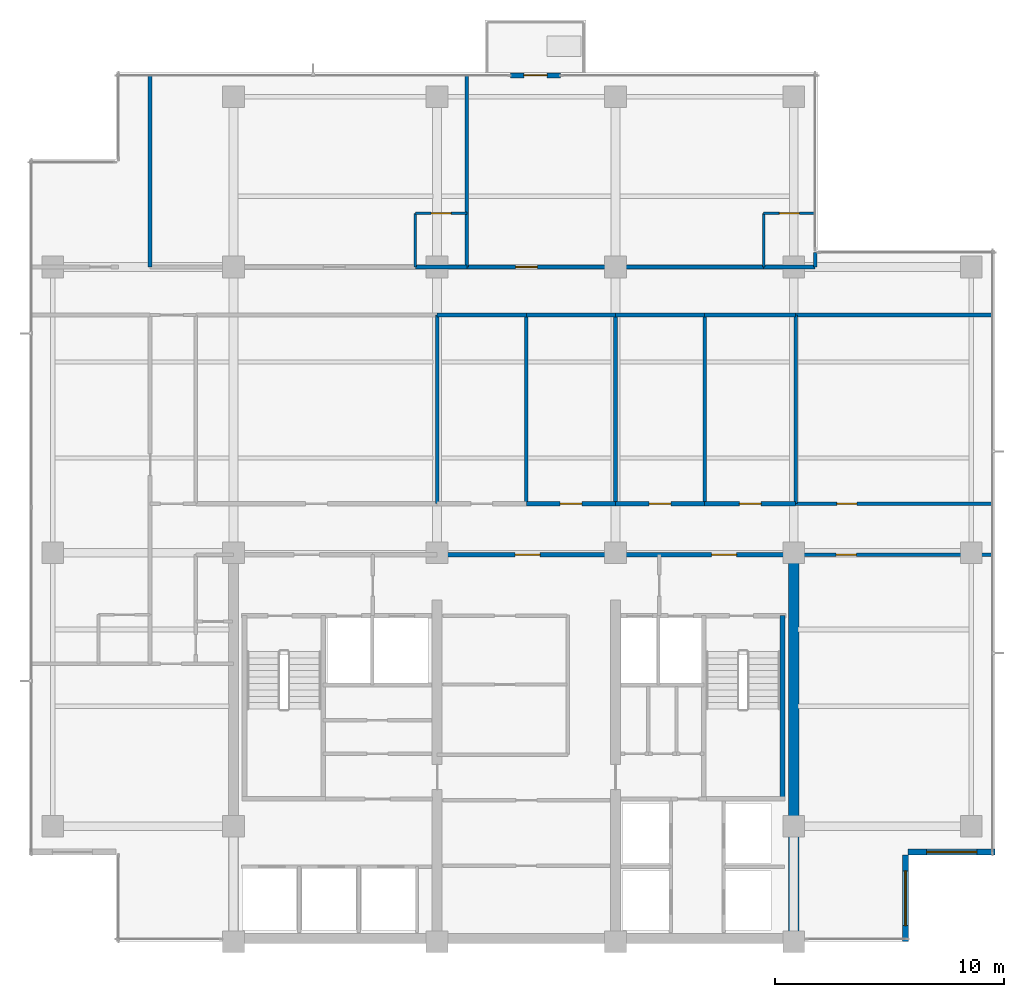
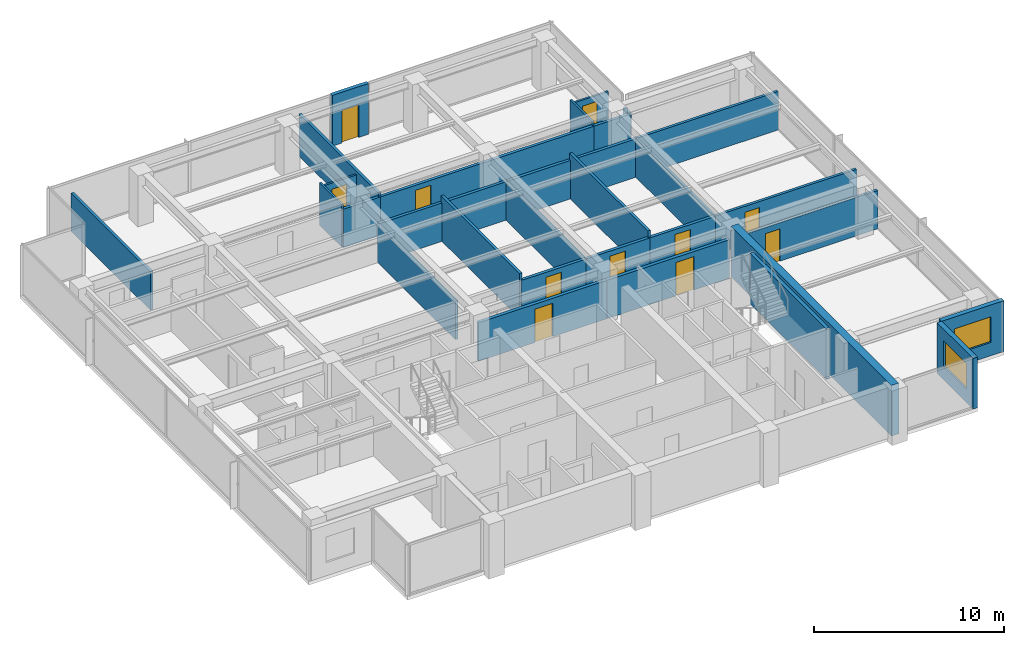
# One storey, part 9 of 15: 32 walls, 11 doors, 2 windows, 13 openings.
"""IFC4 building model written with IfcOpenShell, lengths in metres."""

from ifc_helpers import new_model, si_unit, direction, frame, frame_2d, origin, place, context, subcontext, project, spatial, rectangle, extrude, material, layer, layer_set, type_object, element, fill, save


model = new_model("IFC4")

# Units and contexts
model_context = context("Model", 3, precision=1e-05, world=origin(), true_north=direction((0.0, 1.0)))
body_context = subcontext(model_context, "Body", "Model", "MODEL_VIEW")
ifc_project = project(units=[si_unit("LENGTHUNIT", "METRE"), si_unit("AREAUNIT", "SQUARE_METRE"), si_unit("VOLUMEUNIT", "CUBIC_METRE"), si_unit("PLANEANGLEUNIT", "RADIAN"), si_unit("MASSUNIT", "GRAM", prefix="KILO")], contexts=[model_context])

# Site, building, storey
site_placement = place(None, origin())
site = spatial("IfcSite", under=ifc_project, at=site_placement, CompositionType="ELEMENT")
building_placement = place(site_placement, origin())
building = spatial("IfcBuilding", under=site, at=building_placement, Name="Qalmaran Belvedere Hotel", CompositionType="ELEMENT")
storey_placement = place(building_placement, frame((0.0, 0.0, 221.39990234375)))
storey = spatial("IfcBuildingStorey", under=building, at=storey_placement, Name="L56", CompositionType="ELEMENT", Elevation=221.39990234375)

# Wall, opening, door
ifc_material_1 = material(Name="Anodised Bronze Cladding")
ifc_layer_1 = layer(ifc_material_1, 0.22509765625, Name="Anodised Bronze Cladding")
ifc_layer_set_1 = layer_set([ifc_layer_1], Name="Anodised Bronze Cladding")
wall_type_1 = type_object("IfcWallType", Name="WL-BAL-PORT-225", PredefinedType="SOLIDWALL", material=ifc_layer_set_1)
wall_1_placement = place(storey_placement, frame((32.39990234375, 41.3798828125, 0.0), z_axis=(0.0, 0.0, 1.0), x_axis=(1.0, 0.0, 0.0)))
wall_1 = element("IfcWall", 1, at=wall_1_placement, inside=storey, type_object=wall_type_1, Name="L56 Tree Balcony Door Portal", PredefinedType="SOLIDWALL", context=body_context, shape_type="SweptSolid", body=[
    extrude(rectangle(XDim=2.2001953125, YDim=0.22509765625, at=frame_2d((1.10009765625, 0.0))), origin(), (0.0, 0.0, 1.0), 3.260009765625),
])
opening_1_placement = place(wall_1_placement, frame((0.590087890625, 0.0, 0.0)))
opening_1 = element("IfcOpeningElement", 2, at=opening_1_placement, cuts=wall_1, Name="Opening BL-102", PredefinedType="OPENING", context=body_context, shape_type="SweptSolid", body=[
    extrude(rectangle(XDim=1.02001953125, YDim=2.10009765625, at=frame_2d((0.510009765625, 1.050048828125))), frame((0.0, 0.12255859375, 0.0), z_axis=(0.0, -1.0, 0.0), x_axis=(1.0, 0.0, 0.0)), (0.0, 0.0, 1.0), 0.2451171875),
])
ifc_material_2 = material(Name="Anodised Bronze Aluminium", Category="aluminium")
door_type_1 = type_object("IfcDoorType", Name="DR-BAL-1020X2100", OperationType="NOTDEFINED", PredefinedType="DOOR", material=ifc_material_2)
door_1_placement = place(opening_1_placement, origin())
door_1 = element("IfcDoor", 3, at=door_1_placement, inside=storey, type_object=door_type_1, Name="L56 Planted Tree Balcony Door", OperationType="SINGLE_SWING_LEFT", OverallHeight=2.10009765625, OverallWidth=1.02001953125, PredefinedType="DOOR", context=body_context, shape_type="SweptSolid", body=[
    extrude(rectangle(XDim=1.02001953125, YDim=2.10009765625, at=frame_2d((0.510009765625, 1.050048828125))), frame((0.0, 0.02490234375, 0.0), z_axis=(0.0, -1.0, 0.0), x_axis=(1.0, 0.0, 0.0)), (0.0, 0.0, 1.0), 0.050048828125),
])
fill(opening_1, door_1)

# Wall
ifc_material_3 = material(Name="Concrete C50/60", Category="concrete")
ifc_layer_2 = layer(ifc_material_3, 0.449951171875, Name="Concrete C50/60")
ifc_layer_set_2 = layer_set([ifc_layer_2], Name="Concrete C50/60")
wall_type_2 = type_object("IfcWallType", Name="WL-CORE-450-C50", PredefinedType="SHEAR", material=ifc_layer_set_2)
wall_2_placement = place(storey_placement, frame((44.800048828125, 3.5, 0.0), z_axis=(0.0, 0.0, 1.0), x_axis=(0.0, 1.0, 0.0)))
element("IfcWall", 4, at=wall_2_placement, inside=storey, type_object=wall_type_2, Name="L56 East Core Shear Wall", PredefinedType="SHEAR", context=body_context, shape_type="SweptSolid", body=[
    extrude(rectangle(XDim=16.89990234375, YDim=0.449951171875, at=frame_2d((8.449951171875, 0.0))), origin(), (0.0, 0.0, 1.0), 3.260009765625),
])

# Wall, opening, window
ifc_layer_3 = layer(ifc_material_1, 0.280029296875, Name="Anodised Bronze Cladding")
ifc_layer_set_3 = layer_set([ifc_layer_3], Name="Anodised Bronze Cladding")
wall_type_3 = type_object("IfcWallType", Name="WL-EXT-BRNZ-280", PredefinedType="SOLIDWALL", material=ifc_layer_set_3)
wall_3_placement = place(storey_placement, frame((49.679931640625, 3.5, 0.0), z_axis=(0.0, 0.0, 1.0), x_axis=(0.0, 1.0, 0.0)))
wall_3 = element("IfcWall", 5, at=wall_3_placement, inside=storey, type_object=wall_type_3, Name="L56 Corner Notch Wall 1", PredefinedType="SOLIDWALL", context=body_context, shape_type="SweptSolid", body=[
    extrude(rectangle(XDim=3.800048828125, YDim=0.280029296875, at=frame_2d((1.89990234375, 0.0))), origin(), (0.0, 0.0, 1.0), 3.260009765625),
])
opening_2_placement = place(wall_3_placement, frame((0.699951171875, 0.0, 0.85009765625)))
opening_2 = element("IfcOpeningElement", 6, at=opening_2_placement, cuts=wall_3, Name="Opening W-N24", PredefinedType="OPENING", context=body_context, shape_type="SweptSolid", body=[
    extrude(rectangle(XDim=2.39990234375, YDim=1.64990234375, at=frame_2d((1.199951171875, 0.824951171875))), frame((0.0, 0.14990234375, 0.0), z_axis=(0.0, -1.0, 0.0), x_axis=(1.0, 0.0, 0.0)), (0.0, 0.0, 1.0), 0.300048828125),
])
ifc_material_4 = material(Name="Solar-Control Double Glazing", Category="glass")
window_type_1 = type_object("IfcWindowType", Name="WN-NTC-2400X1650", PartitioningType="SINGLE_PANEL", PredefinedType="WINDOW", material=ifc_material_4)
window_1_placement = place(opening_2_placement, origin())
window_1 = element("IfcWindow", 7, at=window_1_placement, inside=storey, type_object=window_type_1, Name="L56 Corner Notch Window 1", OverallHeight=1.64990234375, OverallWidth=2.39990234375, PartitioningType="SINGLE_PANEL", PredefinedType="WINDOW", context=body_context, shape_type="SweptSolid", body=[
    extrude(rectangle(XDim=2.39990234375, YDim=1.64990234375, at=frame_2d((1.199951171875, 0.824951171875))), frame((0.0, 0.030029296875, 0.0), z_axis=(0.0, -1.0, 0.0), x_axis=(1.0, 0.0, 0.0)), (0.0, 0.0, 1.0), 0.06005859375),
])
fill(opening_2, window_1)

wall_4_placement = place(storey_placement, frame((49.800048828125, 7.419921875, 0.0), z_axis=(0.0, 0.0, 1.0), x_axis=(1.0, 0.0, 0.0)))
wall_4 = element("IfcWall", 8, at=wall_4_placement, inside=storey, type_object=wall_type_3, Name="L56 Corner Notch Wall 2", PredefinedType="SOLIDWALL", context=body_context, shape_type="SweptSolid", body=[
    extrude(rectangle(XDim=3.800048828125, YDim=0.280029296875, at=frame_2d((1.89990234375, 0.0))), origin(), (0.0, 0.0, 1.0), 3.260009765625),
])
opening_3_placement = place(wall_4_placement, frame((0.800048828125, 0.0, 0.85009765625)))
opening_3 = element("IfcOpeningElement", 9, at=opening_3_placement, cuts=wall_4, Name="Opening W-N22", PredefinedType="OPENING", context=body_context, shape_type="SweptSolid", body=[
    extrude(rectangle(XDim=2.199951171875, YDim=1.64990234375, at=frame_2d((1.10009765625, 0.824951171875))), frame((0.0, 0.14990234375, 0.0), z_axis=(0.0, -1.0, 0.0), x_axis=(1.0, 0.0, 0.0)), (0.0, 0.0, 1.0), 0.300048828125),
])
window_type_2 = type_object("IfcWindowType", Name="WN-NTC-2200X1650", PartitioningType="SINGLE_PANEL", PredefinedType="WINDOW", material=ifc_material_4)
window_2_placement = place(opening_3_placement, origin())
window_2 = element("IfcWindow", 10, at=window_2_placement, inside=storey, type_object=window_type_2, Name="L56 Corner Notch Window 2", OverallHeight=1.64990234375, OverallWidth=2.199951171875, PartitioningType="SINGLE_PANEL", PredefinedType="WINDOW", context=body_context, shape_type="SweptSolid", body=[
    extrude(rectangle(XDim=2.199951171875, YDim=1.64990234375, at=frame_2d((1.10009765625, 0.824951171875))), frame((0.0, 0.030029296875, 0.0), z_axis=(0.0, -1.0, 0.0), x_axis=(1.0, 0.0, 0.0)), (0.0, 0.0, 1.0), 0.06005859375),
])
fill(opening_3, window_2)

# Wall, opening, door
ifc_material_5 = material(Name="Moisture-Resistant Gypsum")
ifc_layer_4 = layer(ifc_material_5, 0.1201171875, Name="Moisture-Resistant Gypsum")
ifc_layer_set_4 = layer_set([ifc_layer_4], Name="Moisture-Resistant Gypsum")
wall_type_4 = type_object("IfcWallType", Name="WL-INT-120-BATH", PredefinedType="PARTITIONING", material=ifc_layer_set_4)
wall_5_placement = place(storey_placement, frame((28.25, 35.35009765625, 0.0), z_axis=(0.0, 0.0, 1.0), x_axis=(1.0, 0.0, 0.0)))
wall_5 = element("IfcWall", 11, at=wall_5_placement, inside=storey, type_object=wall_type_4, Name="L56 Partition WL-L56-NBN00", PredefinedType="PARTITIONING", context=body_context, shape_type="SweptSolid", body=[
    extrude(rectangle(XDim=2.25, YDim=0.1201171875, at=frame_2d((1.125, 0.0))), origin(), (0.0, 0.0, 1.0), 2.47216796875),
])
opening_4_placement = place(wall_5_placement, frame((1.56494140625, 0.0, 0.0), z_axis=(0.0, 0.0, 1.0), x_axis=(-1.0, 0.0, 0.0)))
opening_4 = element("IfcOpeningElement", 12, at=opening_4_placement, cuts=wall_5, Name="Opening D-BATH", PredefinedType="OPENING", context=body_context, shape_type="SweptSolid", body=[
    extrude(rectangle(XDim=0.8798828125, YDim=2.080078125, at=frame_2d((0.43994140625, 1.0400390625))), frame((0.0, 0.070068359375, 0.0), z_axis=(0.0, -1.0, 0.0), x_axis=(1.0, 0.0, 0.0)), (0.0, 0.0, 1.0), 0.14013671875),
])
ifc_material_6 = material(Name="Engineered Oak Veneer")
door_type_2 = type_object("IfcDoorType", Name="DR-INT-BATH-880X2080", OperationType="NOTDEFINED", PredefinedType="DOOR", material=ifc_material_6)
door_2_placement = place(opening_4_placement, origin())
door_2 = element("IfcDoor", 13, at=door_2_placement, inside=storey, type_object=door_type_2, Name="L56 Ensuite Bathroom Door N01", OperationType="SINGLE_SWING_LEFT", OverallHeight=2.080078125, OverallWidth=0.8798828125, PredefinedType="DOOR", context=body_context, shape_type="SweptSolid", body=[
    extrude(rectangle(XDim=0.8798828125, YDim=2.080078125, at=frame_2d((0.43994140625, 1.0400390625))), frame((0.0, 0.02490234375, 0.0), z_axis=(0.0, -1.0, 0.0), x_axis=(1.0, 0.0, 0.0)), (0.0, 0.0, 1.0), 0.050048828125),
])
fill(opening_4, door_2)

# Wall
wall_6_placement = place(storey_placement, frame((28.25, 33.0, 0.0), z_axis=(0.0, 0.0, 1.0), x_axis=(0.0, 1.0, 0.0)))
element("IfcWall", 14, at=wall_6_placement, inside=storey, type_object=wall_type_4, Name="L56 Partition WL-L56-NBS00", PredefinedType="PARTITIONING", context=body_context, shape_type="SweptSolid", body=[
    extrude(rectangle(XDim=2.35009765625, YDim=0.1201171875, at=frame_2d((1.175048828125, 0.0))), origin(), (0.0, 0.0, 1.0), 2.7060546875),
])

# Wall, opening, door
wall_7_placement = place(storey_placement, frame((43.47998046875, 35.35009765625, 0.0), z_axis=(0.0, 0.0, 1.0), x_axis=(1.0, 0.0, 0.0)))
wall_7 = element("IfcWall", 15, at=wall_7_placement, inside=storey, type_object=wall_type_4, Name="L56 Partition WL-L56-NBN01", PredefinedType="PARTITIONING", context=body_context, shape_type="SweptSolid", body=[
    extrude(rectangle(XDim=2.25, YDim=0.1201171875, at=frame_2d((1.125, 0.0))), origin(), (0.0, 0.0, 1.0), 2.47216796875),
])
opening_5_placement = place(wall_7_placement, frame((1.56494140625, 0.0, 0.0), z_axis=(0.0, 0.0, 1.0), x_axis=(-1.0, 0.0, 0.0)))
opening_5 = element("IfcOpeningElement", 16, at=opening_5_placement, cuts=wall_7, Name="Opening D-BATH", PredefinedType="OPENING", context=body_context, shape_type="SweptSolid", body=[
    extrude(rectangle(XDim=0.8798828125, YDim=2.080078125, at=frame_2d((0.43994140625, 1.0400390625))), frame((0.0, 0.070068359375, 0.0), z_axis=(0.0, -1.0, 0.0), x_axis=(1.0, 0.0, 0.0)), (0.0, 0.0, 1.0), 0.14013671875),
])
door_3_placement = place(opening_5_placement, origin())
door_3 = element("IfcDoor", 17, at=door_3_placement, inside=storey, type_object=door_type_2, Name="L56 Ensuite Bathroom Door N02", OperationType="SINGLE_SWING_LEFT", OverallHeight=2.080078125, OverallWidth=0.8798828125, PredefinedType="DOOR", context=body_context, shape_type="SweptSolid", body=[
    extrude(rectangle(XDim=0.8798828125, YDim=2.080078125, at=frame_2d((0.43994140625, 1.0400390625))), frame((0.0, 0.02490234375, 0.0), z_axis=(0.0, -1.0, 0.0), x_axis=(1.0, 0.0, 0.0)), (0.0, 0.0, 1.0), 0.050048828125),
])
fill(opening_5, door_3)

# Wall
wall_8_placement = place(storey_placement, frame((43.47998046875, 33.0, 0.0), z_axis=(0.0, 0.0, 1.0), x_axis=(0.0, 1.0, 0.0)))
element("IfcWall", 18, at=wall_8_placement, inside=storey, type_object=wall_type_4, Name="L56 Partition WL-L56-NBS01", PredefinedType="PARTITIONING", context=body_context, shape_type="SweptSolid", body=[
    extrude(rectangle(XDim=2.35009765625, YDim=0.1201171875, at=frame_2d((1.175048828125, 0.0))), origin(), (0.0, 0.0, 1.0), 2.7060546875),
])

# Wall, opening, door
ifc_material_7 = material(Name="Gypsum Stud Partition")
ifc_layer_5 = layer(ifc_material_7, 0.159912109375, Name="Gypsum Stud Partition")
ifc_layer_set_5 = layer_set([ifc_layer_5], Name="Gypsum Stud Partition")
wall_type_5 = type_object("IfcWallType", Name="WL-INT-160-EI60", PredefinedType="PARTITIONING", material=ifc_layer_set_5)
wall_9_placement = place(storey_placement, frame((44.800048828125, 20.419921875, 0.0), z_axis=(0.0, 0.0, 1.0), x_axis=(1.0, 0.0, 0.0)))
wall_9 = element("IfcWall", 19, at=wall_9_placement, inside=storey, type_object=wall_type_5, Name="L56 Partition WL-L56-ECE1S", PredefinedType="PARTITIONING", context=body_context, shape_type="SweptSolid", body=[
    extrude(rectangle(XDim=8.679931640625, YDim=0.159912109375, at=frame_2d((4.33984375, 0.0))), origin(), (0.0, 0.0, 1.0), 2.47216796875),
])
opening_6_placement = place(wall_9_placement, frame((2.72998046875, 0.0, 0.0), z_axis=(0.0, 0.0, 1.0), x_axis=(-1.0, 0.0, 0.0)))
opening_6 = element("IfcOpeningElement", 20, at=opening_6_placement, cuts=wall_9, Name="Opening FD60B", PredefinedType="OPENING", context=body_context, shape_type="SweptSolid", body=[
    extrude(rectangle(XDim=0.8798828125, YDim=2.080078125, at=frame_2d((0.43994140625, 1.0400390625))), frame((0.0, 0.08984375, 0.0), z_axis=(0.0, -1.0, 0.0), x_axis=(1.0, 0.0, 0.0)), (0.0, 0.0, 1.0), 0.179931640625),
])
ifc_material_8 = material(Name="Steel S355JR", Category="steel")
door_type_3 = type_object("IfcDoorType", Name="DR-FD60B-880X2080", OperationType="NOTDEFINED", PredefinedType="DOOR", material=ifc_material_8)
door_4_placement = place(opening_6_placement, origin())
door_4 = element("IfcDoor", 21, at=door_4_placement, inside=storey, type_object=door_type_3, Name="L56 East Library Door", OperationType="SINGLE_SWING_RIGHT", OverallHeight=2.080078125, OverallWidth=0.8798828125, PredefinedType="DOOR", context=body_context, shape_type="SweptSolid", body=[
    extrude(rectangle(XDim=0.8798828125, YDim=2.080078125, at=frame_2d((0.43994140625, 1.0400390625))), frame((0.0, 0.02490234375, 0.0), z_axis=(0.0, -1.0, 0.0), x_axis=(1.0, 0.0, 0.0)), (0.0, 0.0, 1.0), 0.050048828125),
])
fill(opening_6, door_4)

wall_10_placement = place(storey_placement, frame((44.8798828125, 22.64990234375, 0.0), z_axis=(0.0, 0.0, 1.0), x_axis=(1.0, 0.0, 0.0)))
wall_10 = element("IfcWall", 22, at=wall_10_placement, inside=storey, type_object=wall_type_5, Name="L56 Partition WL-L56-ECE2N", PredefinedType="PARTITIONING", context=body_context, shape_type="SweptSolid", body=[
    extrude(rectangle(XDim=8.60009765625, YDim=0.159912109375, at=frame_2d((4.300048828125, 0.0))), origin(), (0.0, 0.0, 1.0), 2.47216796875),
])
opening_7_placement = place(wall_10_placement, frame((1.800048828125, 0.0, 0.0)))
opening_7 = element("IfcOpeningElement", 23, at=opening_7_placement, cuts=wall_10, Name="Opening FD60B", PredefinedType="OPENING", context=body_context, shape_type="SweptSolid", body=[
    extrude(rectangle(XDim=0.8798828125, YDim=2.080078125, at=frame_2d((0.43994140625, 1.0400390625))), frame((0.0, 0.08984375, 0.0), z_axis=(0.0, -1.0, 0.0), x_axis=(1.0, 0.0, 0.0)), (0.0, 0.0, 1.0), 0.179931640625),
])
door_5_placement = place(opening_7_placement, origin())
door_5 = element("IfcDoor", 24, at=door_5_placement, inside=storey, type_object=door_type_3, Name="L56 East Fitness Door", OperationType="SINGLE_SWING_LEFT", OverallHeight=2.080078125, OverallWidth=0.8798828125, PredefinedType="DOOR", context=body_context, shape_type="SweptSolid", body=[
    extrude(rectangle(XDim=0.8798828125, YDim=2.080078125, at=frame_2d((0.43994140625, 1.0400390625))), frame((0.0, 0.02490234375, 0.0), z_axis=(0.0, -1.0, 0.0), x_axis=(1.0, 0.0, 0.0)), (0.0, 0.0, 1.0), 0.050048828125),
])
fill(opening_7, door_5)

# Walls
wall_11_placement = place(storey_placement, frame((44.8798828125, 30.89990234375, 0.0), z_axis=(0.0, 0.0, 1.0), x_axis=(1.0, 0.0, 0.0)))
element("IfcWall", 25, at=wall_11_placement, inside=storey, type_object=wall_type_5, Name="L56 Partition WL-L56-ECEN", PredefinedType="PARTITIONING", context=body_context, shape_type="SweptSolid", body=[
    extrude(rectangle(XDim=8.60009765625, YDim=0.159912109375, at=frame_2d((4.300048828125, 0.0))), origin(), (0.0, 0.0, 1.0), 2.47216796875),
])
wall_12_placement = place(storey_placement, frame((29.199951171875, 22.64990234375, 0.0), z_axis=(0.0, 0.0, 1.0), x_axis=(0.0, 1.0, 0.0)))
element("IfcWall", 26, at=wall_12_placement, inside=storey, type_object=wall_type_5, Name="L56 Partition WL-L56-MIDVR1", PredefinedType="PARTITIONING", context=body_context, shape_type="SweptSolid", body=[
    extrude(rectangle(XDim=8.25, YDim=0.159912109375, at=frame_2d((4.125, 0.0))), origin(), (0.0, 0.0, 1.0), 2.47216796875),
])
wall_13_placement = place(storey_placement, frame((33.10009765625, 22.64990234375, 0.0), z_axis=(0.0, 0.0, 1.0), x_axis=(0.0, 1.0, 0.0)))
element("IfcWall", 27, at=wall_13_placement, inside=storey, type_object=wall_type_5, Name="L56 Partition WL-L56-MIDVR2", PredefinedType="PARTITIONING", context=body_context, shape_type="SweptSolid", body=[
    extrude(rectangle(XDim=8.25, YDim=0.159912109375, at=frame_2d((4.125, 0.0))), origin(), (0.0, 0.0, 1.0), 2.88720703125),
])
wall_14_placement = place(storey_placement, frame((37.0, 22.64990234375, 0.0), z_axis=(0.0, 0.0, 1.0), x_axis=(0.0, 1.0, 0.0)))
element("IfcWall", 28, at=wall_14_placement, inside=storey, type_object=wall_type_5, Name="L56 Partition WL-L56-MIDVR3", PredefinedType="PARTITIONING", context=body_context, shape_type="SweptSolid", body=[
    extrude(rectangle(XDim=8.25, YDim=0.159912109375, at=frame_2d((4.125, 0.0))), origin(), (0.0, 0.0, 1.0), 2.47216796875),
])
wall_15_placement = place(storey_placement, frame((40.89990234375, 22.64990234375, 0.0), z_axis=(0.0, 0.0, 1.0), x_axis=(0.0, 1.0, 0.0)))
element("IfcWall", 29, at=wall_15_placement, inside=storey, type_object=wall_type_5, Name="L56 Partition WL-L56-MIDVR4", PredefinedType="PARTITIONING", context=body_context, shape_type="SweptSolid", body=[
    extrude(rectangle(XDim=8.25, YDim=0.159912109375, at=frame_2d((4.125, 0.0))), origin(), (0.0, 0.0, 1.0), 2.88720703125),
])
wall_16_placement = place(storey_placement, frame((44.8798828125, 22.64990234375, 0.0), z_axis=(0.0, 0.0, 1.0), x_axis=(0.0, 1.0, 0.0)))
element("IfcWall", 30, at=wall_16_placement, inside=storey, type_object=wall_type_5, Name="L56 Partition WL-L56-MIDVR5", PredefinedType="PARTITIONING", context=body_context, shape_type="SweptSolid", body=[
    extrude(rectangle(XDim=8.25, YDim=0.159912109375, at=frame_2d((4.125, 0.0))), origin(), (0.0, 0.0, 1.0), 2.47216796875),
])
wall_17_placement = place(storey_placement, frame((16.64990234375, 33.0, 0.0), z_axis=(0.0, 0.0, 1.0), x_axis=(0.0, 1.0, 0.0)))
element("IfcWall", 31, at=wall_17_placement, inside=storey, type_object=wall_type_5, Name="L56 Partition WL-L56-NUL", PredefinedType="PARTITIONING", context=body_context, shape_type="SweptSolid", body=[
    extrude(rectangle(XDim=8.3798828125, YDim=0.159912109375, at=frame_2d((4.18994140625, 0.0))), origin(), (0.0, 0.0, 1.0), 2.47216796875),
])
wall_18_placement = place(storey_placement, frame((30.5, 33.0, 0.0), z_axis=(0.0, 0.0, 1.0), x_axis=(0.0, 1.0, 0.0)))
element("IfcWall", 32, at=wall_18_placement, inside=storey, type_object=wall_type_5, Name="L56 Partition WL-L56-NUR00", PredefinedType="PARTITIONING", context=body_context, shape_type="SweptSolid", body=[
    extrude(rectangle(XDim=8.3798828125, YDim=0.159912109375, at=frame_2d((4.18994140625, 0.0))), origin(), (0.0, 0.0, 1.0), 2.7060546875),
])
wall_19_placement = place(storey_placement, frame((45.72998046875, 33.0, 0.0), z_axis=(0.0, 0.0, 1.0), x_axis=(0.0, 1.0, 0.0)))
element("IfcWall", 33, at=wall_19_placement, inside=storey, type_object=wall_type_5, Name="L56 Partition WL-L56-NUR01", PredefinedType="PARTITIONING", context=body_context, shape_type="SweptSolid", body=[
    extrude(rectangle(XDim=0.6298828125, YDim=0.159912109375, at=frame_2d((0.31494140625, 0.0))), origin(), (0.0, 0.0, 1.0), 2.47216796875),
])
ifc_layer_6 = layer(ifc_material_7, 0.179931640625, Name="Gypsum Stud Partition")
ifc_layer_set_6 = layer_set([ifc_layer_6], Name="Gypsum Stud Partition")
wall_type_6 = type_object("IfcWallType", Name="WL-INT-180-EI60", PredefinedType="PARTITIONING", material=ifc_layer_set_6)
wall_20_placement = place(storey_placement, frame((29.199951171875, 30.89990234375, 0.0), z_axis=(0.0, 0.0, 1.0), x_axis=(1.0, 0.0, 0.0)))
element("IfcWall", 34, at=wall_20_placement, inside=storey, type_object=wall_type_6, Name="L56 Partition WL-L56-MIDO2", PredefinedType="PARTITIONING", context=body_context, shape_type="SweptSolid", body=[
    extrude(rectangle(XDim=3.900146484375, YDim=0.179931640625, at=frame_2d((1.9501953125, 0.0))), origin(), (0.0, 0.0, 1.0), 2.47216796875),
])

# Wall, opening, door
wall_21_placement = place(storey_placement, frame((33.10009765625, 22.64990234375, 0.0), z_axis=(0.0, 0.0, 1.0), x_axis=(1.0, 0.0, 0.0)))
wall_21 = element("IfcWall", 35, at=wall_21_placement, inside=storey, type_object=wall_type_6, Name="L56 Partition WL-L56-MIDD3", PredefinedType="PARTITIONING", context=body_context, shape_type="SweptSolid", body=[
    extrude(rectangle(XDim=3.89990234375, YDim=0.179931640625, at=frame_2d((1.949951171875, 0.0))), origin(), (0.0, 0.0, 1.0), 2.47216796875),
])
opening_8_placement = place(wall_21_placement, frame((1.47509765625, 0.0, 0.0)))
opening_8 = element("IfcOpeningElement", 36, at=opening_8_placement, cuts=wall_21, Name="Opening FD60", PredefinedType="OPENING", context=body_context, shape_type="SweptSolid", body=[
    extrude(rectangle(XDim=0.949951171875, YDim=2.14990234375, at=frame_2d((0.47509765625, 1.074951171875))), frame((0.0, 0.10009765625, 0.0), z_axis=(0.0, -1.0, 0.0), x_axis=(1.0, 0.0, 0.0)), (0.0, 0.0, 1.0), 0.199951171875),
])
door_type_4 = type_object("IfcDoorType", Name="DR-FD60-950X2150", OperationType="NOTDEFINED", PredefinedType="DOOR", material=ifc_material_6)
door_6_placement = place(opening_8_placement, origin())
door_6 = element("IfcDoor", 37, at=door_6_placement, inside=storey, type_object=door_type_4, Name="L56 Sitting Lounge Door", OperationType="SINGLE_SWING_RIGHT", OverallHeight=2.14990234375, OverallWidth=0.949951171875, PredefinedType="DOOR", context=body_context, shape_type="SweptSolid", body=[
    extrude(rectangle(XDim=0.949951171875, YDim=2.14990234375, at=frame_2d((0.47509765625, 1.074951171875))), frame((0.0, 0.02490234375, 0.0), z_axis=(0.0, -1.0, 0.0), x_axis=(1.0, 0.0, 0.0)), (0.0, 0.0, 1.0), 0.050048828125),
])
fill(opening_8, door_6)

# Wall
wall_22_placement = place(storey_placement, frame((33.10009765625, 30.89990234375, 0.0), z_axis=(0.0, 0.0, 1.0), x_axis=(1.0, 0.0, 0.0)))
element("IfcWall", 38, at=wall_22_placement, inside=storey, type_object=wall_type_6, Name="L56 Partition WL-L56-MIDO3", PredefinedType="PARTITIONING", context=body_context, shape_type="SweptSolid", body=[
    extrude(rectangle(XDim=3.89990234375, YDim=0.179931640625, at=frame_2d((1.949951171875, 0.0))), origin(), (0.0, 0.0, 1.0), 2.47216796875),
])

# Wall, opening, door
wall_23_placement = place(storey_placement, frame((37.0, 22.64990234375, 0.0), z_axis=(0.0, 0.0, 1.0), x_axis=(1.0, 0.0, 0.0)))
wall_23 = element("IfcWall", 39, at=wall_23_placement, inside=storey, type_object=wall_type_6, Name="L56 Partition WL-L56-MIDD4", PredefinedType="PARTITIONING", context=body_context, shape_type="SweptSolid", body=[
    extrude(rectangle(XDim=3.89990234375, YDim=0.179931640625, at=frame_2d((1.949951171875, 0.0))), origin(), (0.0, 0.0, 1.0), 2.47216796875),
])
opening_9_placement = place(wall_23_placement, frame((1.47509765625, 0.0, 0.0)))
opening_9 = element("IfcOpeningElement", 40, at=opening_9_placement, cuts=wall_23, Name="Opening FD60", PredefinedType="OPENING", context=body_context, shape_type="SweptSolid", body=[
    extrude(rectangle(XDim=0.949951171875, YDim=2.14990234375, at=frame_2d((0.47509765625, 1.074951171875))), frame((0.0, 0.10009765625, 0.0), z_axis=(0.0, -1.0, 0.0), x_axis=(1.0, 0.0, 0.0)), (0.0, 0.0, 1.0), 0.199951171875),
])
door_7_placement = place(opening_9_placement, origin())
door_7 = element("IfcDoor", 41, at=door_7_placement, inside=storey, type_object=door_type_4, Name="L56 Family Lounge Door", OperationType="SINGLE_SWING_LEFT", OverallHeight=2.14990234375, OverallWidth=0.949951171875, PredefinedType="DOOR", context=body_context, shape_type="SweptSolid", body=[
    extrude(rectangle(XDim=0.949951171875, YDim=2.14990234375, at=frame_2d((0.47509765625, 1.074951171875))), frame((0.0, 0.02490234375, 0.0), z_axis=(0.0, -1.0, 0.0), x_axis=(1.0, 0.0, 0.0)), (0.0, 0.0, 1.0), 0.050048828125),
])
fill(opening_9, door_7)

# Wall
wall_24_placement = place(storey_placement, frame((37.0, 30.89990234375, 0.0), z_axis=(0.0, 0.0, 1.0), x_axis=(1.0, 0.0, 0.0)))
element("IfcWall", 42, at=wall_24_placement, inside=storey, type_object=wall_type_6, Name="L56 Partition WL-L56-MIDO4", PredefinedType="PARTITIONING", context=body_context, shape_type="SweptSolid", body=[
    extrude(rectangle(XDim=3.89990234375, YDim=0.179931640625, at=frame_2d((1.949951171875, 0.0))), origin(), (0.0, 0.0, 1.0), 2.47216796875),
])

# Wall, opening, door
wall_25_placement = place(storey_placement, frame((40.89990234375, 22.64990234375, 0.0), z_axis=(0.0, 0.0, 1.0), x_axis=(1.0, 0.0, 0.0)))
wall_25 = element("IfcWall", 43, at=wall_25_placement, inside=storey, type_object=wall_type_6, Name="L56 Partition WL-L56-MIDD5", PredefinedType="PARTITIONING", context=body_context, shape_type="SweptSolid", body=[
    extrude(rectangle(XDim=3.97998046875, YDim=0.179931640625, at=frame_2d((1.989990234375, 0.0))), origin(), (0.0, 0.0, 1.0), 2.47216796875),
])
opening_10_placement = place(wall_25_placement, frame((1.514892578125, 0.0, 0.0)))
opening_10 = element("IfcOpeningElement", 44, at=opening_10_placement, cuts=wall_25, Name="Opening FD60", PredefinedType="OPENING", context=body_context, shape_type="SweptSolid", body=[
    extrude(rectangle(XDim=0.949951171875, YDim=2.14990234375, at=frame_2d((0.47509765625, 1.074951171875))), frame((0.0, 0.10009765625, 0.0), z_axis=(0.0, -1.0, 0.0), x_axis=(1.0, 0.0, 0.0)), (0.0, 0.0, 1.0), 0.199951171875),
])
door_8_placement = place(opening_10_placement, origin())
door_8 = element("IfcDoor", 45, at=door_8_placement, inside=storey, type_object=door_type_4, Name="L56 Library Door", OperationType="SINGLE_SWING_RIGHT", OverallHeight=2.14990234375, OverallWidth=0.949951171875, PredefinedType="DOOR", context=body_context, shape_type="SweptSolid", body=[
    extrude(rectangle(XDim=0.949951171875, YDim=2.14990234375, at=frame_2d((0.47509765625, 1.074951171875))), frame((0.0, 0.02490234375, 0.0), z_axis=(0.0, -1.0, 0.0), x_axis=(1.0, 0.0, 0.0)), (0.0, 0.0, 1.0), 0.050048828125),
])
fill(opening_10, door_8)

# Walls
wall_26_placement = place(storey_placement, frame((40.89990234375, 30.89990234375, 0.0), z_axis=(0.0, 0.0, 1.0), x_axis=(1.0, 0.0, 0.0)))
element("IfcWall", 46, at=wall_26_placement, inside=storey, type_object=wall_type_6, Name="L56 Partition WL-L56-MIDO5", PredefinedType="PARTITIONING", context=body_context, shape_type="SweptSolid", body=[
    extrude(rectangle(XDim=3.97998046875, YDim=0.179931640625, at=frame_2d((1.989990234375, 0.0))), origin(), (0.0, 0.0, 1.0), 2.47216796875),
])
for number, where, z_axis, x_axis, name in (
    (47, (28.25, 33.0, 0.0), (0.0, 0.0, 1.0), (1.0, 0.0, 0.0), "L56 Partition WL-L56-NBC00"),
    (48, (43.47998046875, 33.0, 0.0), (0.0, 0.0, 1.0), (1.0, 0.0, 0.0), "L56 Partition WL-L56-NBC01"),
):
    element("IfcWall", number, at=place(storey_placement, frame(where, z_axis=z_axis, x_axis=x_axis)), inside=storey, type_object=wall_type_6, Name=name, PredefinedType="PARTITIONING", context=body_context, shape_type="SweptSolid", body=[
        extrude(rectangle(XDim=2.25, YDim=0.179931640625, at=frame_2d((1.125, 0.0))), origin(), (0.0, 0.0, 1.0), 2.47216796875),
    ])

# Wall, opening, door
wall_27_placement = place(storey_placement, frame((30.5, 33.0, 0.0), z_axis=(0.0, 0.0, 1.0), x_axis=(1.0, 0.0, 0.0)))
wall_27 = element("IfcWall", 49, at=wall_27_placement, inside=storey, type_object=wall_type_6, Name="L56 Partition WL-L56-NEC01", PredefinedType="PARTITIONING", context=body_context, shape_type="SweptSolid", body=[
    extrude(rectangle(XDim=12.97998046875, YDim=0.179931640625, at=frame_2d((6.489990234375, 0.0))), origin(), (0.0, 0.0, 1.0), 2.47216796875),
])
opening_11_placement = place(wall_27_placement, frame((2.1318359375, 0.0, 0.0)))
opening_11 = element("IfcOpeningElement", 50, at=opening_11_placement, cuts=wall_27, Name="Opening FD60", PredefinedType="OPENING", context=body_context, shape_type="SweptSolid", body=[
    extrude(rectangle(XDim=0.949951171875, YDim=2.14990234375, at=frame_2d((0.47509765625, 1.074951171875))), frame((0.0, 0.10009765625, 0.0), z_axis=(0.0, -1.0, 0.0), x_axis=(1.0, 0.0, 0.0)), (0.0, 0.0, 1.0), 0.199951171875),
])
door_9_placement = place(opening_11_placement, origin())
door_9 = element("IfcDoor", 51, at=door_9_placement, inside=storey, type_object=door_type_4, Name="L56 Guest Entrance Door N02", OperationType="SINGLE_SWING_RIGHT", OverallHeight=2.14990234375, OverallWidth=0.949951171875, PredefinedType="DOOR", context=body_context, shape_type="SweptSolid", body=[
    extrude(rectangle(XDim=0.949951171875, YDim=2.14990234375, at=frame_2d((0.47509765625, 1.074951171875))), frame((0.0, 0.02490234375, 0.0), z_axis=(0.0, -1.0, 0.0), x_axis=(1.0, 0.0, 0.0)), (0.0, 0.0, 1.0), 0.050048828125),
])
fill(opening_11, door_9)

ifc_material_9 = material(Name="Concrete C30/37 Blockwork", Category="masonry")
ifc_layer_7 = layer(ifc_material_9, 0.199951171875, Name="Concrete C30/37 Blockwork")
ifc_layer_set_7 = layer_set([ifc_layer_7], Name="Concrete C30/37 Blockwork")
wall_type_7 = type_object("IfcWallType", Name="WL-INT-200-EI120", PredefinedType="PARTITIONING", material=ifc_layer_set_7)
wall_28_placement = place(storey_placement, frame((29.199951171875, 20.419921875, 0.0), z_axis=(0.0, 0.0, 1.0), x_axis=(1.0, 0.0, 0.0)))
wall_28 = element("IfcWall", 52, at=wall_28_placement, inside=storey, type_object=wall_type_7, Name="L56 Partition WL-CN2-L56", PredefinedType="PARTITIONING", context=body_context, shape_type="SweptSolid", body=[
    extrude(rectangle(XDim=7.800048828125, YDim=0.199951171875, at=frame_2d((3.89990234375, 0.0))), origin(), (0.0, 0.0, 1.0), 2.47216796875),
])
opening_12_placement = place(wall_28_placement, frame((3.4091796875, 0.0, 0.0)))
opening_12 = element("IfcOpeningElement", 53, at=opening_12_placement, cuts=wall_28, Name="Opening FD90", PredefinedType="OPENING", context=body_context, shape_type="SweptSolid", body=[
    extrude(rectangle(XDim=1.10009765625, YDim=2.14990234375, at=frame_2d((0.550048828125, 1.074951171875))), frame((0.0, 0.10986328125, 0.0), z_axis=(0.0, -1.0, 0.0), x_axis=(1.0, 0.0, 0.0)), (0.0, 0.0, 1.0), 0.219970703125),
])
door_type_5 = type_object("IfcDoorType", Name="DR-FD90-1100X2150", OperationType="NOTDEFINED", PredefinedType="DOOR", material=ifc_material_8)
door_10_placement = place(opening_12_placement, origin())
door_10 = element("IfcDoor", 54, at=door_10_placement, inside=storey, type_object=door_type_5, Name="L56 Central Lift Lobby Door", OperationType="SINGLE_SWING_LEFT", OverallHeight=2.14990234375, OverallWidth=1.10009765625, PredefinedType="DOOR", context=body_context, shape_type="SweptSolid", body=[
    extrude(rectangle(XDim=1.10009765625, YDim=2.14990234375, at=frame_2d((0.550048828125, 1.074951171875))), frame((0.0, 0.02490234375, 0.0), z_axis=(0.0, -1.0, 0.0), x_axis=(1.0, 0.0, 0.0)), (0.0, 0.0, 1.0), 0.050048828125),
])
fill(opening_12, door_10)

wall_29_placement = place(storey_placement, frame((37.0, 20.419921875, 0.0), z_axis=(0.0, 0.0, 1.0), x_axis=(1.0, 0.0, 0.0)))
wall_29 = element("IfcWall", 55, at=wall_29_placement, inside=storey, type_object=wall_type_7, Name="L56 Partition WL-CN3-L56", PredefinedType="PARTITIONING", context=body_context, shape_type="SweptSolid", body=[
    extrude(rectangle(XDim=7.449951171875, YDim=0.199951171875, at=frame_2d((3.72509765625, 0.0))), origin(), (0.0, 0.0, 1.0), 2.47216796875),
])
opening_13_placement = place(wall_29_placement, frame((4.199951171875, 0.0, 0.0)))
opening_13 = element("IfcOpeningElement", 56, at=opening_13_placement, cuts=wall_29, Name="Opening FD90", PredefinedType="OPENING", context=body_context, shape_type="SweptSolid", body=[
    extrude(rectangle(XDim=1.10009765625, YDim=2.14990234375, at=frame_2d((0.550048828125, 1.074951171875))), frame((0.0, 0.10986328125, 0.0), z_axis=(0.0, -1.0, 0.0), x_axis=(1.0, 0.0, 0.0)), (0.0, 0.0, 1.0), 0.219970703125),
])
door_11_placement = place(opening_13_placement, origin())
door_11 = element("IfcDoor", 57, at=door_11_placement, inside=storey, type_object=door_type_5, Name="L56 FF2 Lobby Corridor Door", OperationType="SINGLE_SWING_RIGHT", OverallHeight=2.14990234375, OverallWidth=1.10009765625, PredefinedType="DOOR", context=body_context, shape_type="SweptSolid", body=[
    extrude(rectangle(XDim=1.10009765625, YDim=2.14990234375, at=frame_2d((0.550048828125, 1.074951171875))), frame((0.0, 0.02490234375, 0.0), z_axis=(0.0, -1.0, 0.0), x_axis=(1.0, 0.0, 0.0)), (0.0, 0.0, 1.0), 0.050048828125),
])
fill(opening_13, door_11)

# Wall
ifc_layer_8 = layer(ifc_material_3, 0.2099609375, Name="Concrete C50/60")
ifc_layer_set_8 = layer_set([ifc_layer_8], Name="Concrete C50/60")
wall_type_8 = type_object("IfcWallType", Name="WL-STAIR-210-C50", PredefinedType="SHEAR", material=ifc_layer_set_8)
wall_30_placement = place(storey_placement, frame((44.304931640625, 9.7451171875, 0.0), z_axis=(0.0, 0.0, 1.0), x_axis=(0.0, 1.0, 0.0)))
element("IfcWall", 58, at=wall_30_placement, inside=storey, type_object=wall_type_8, Name="L56 Stair ST-2 East Bearing Wall", PredefinedType="SHEAR", context=body_context, shape_type="SweptSolid", body=[
    extrude(rectangle(XDim=8.009765625, YDim=0.2099609375, at=frame_2d((4.0048828125, 0.0))), origin(), (0.0, 0.0, 1.0), 3.260009765625),
])

save(model, "model.ifc")
